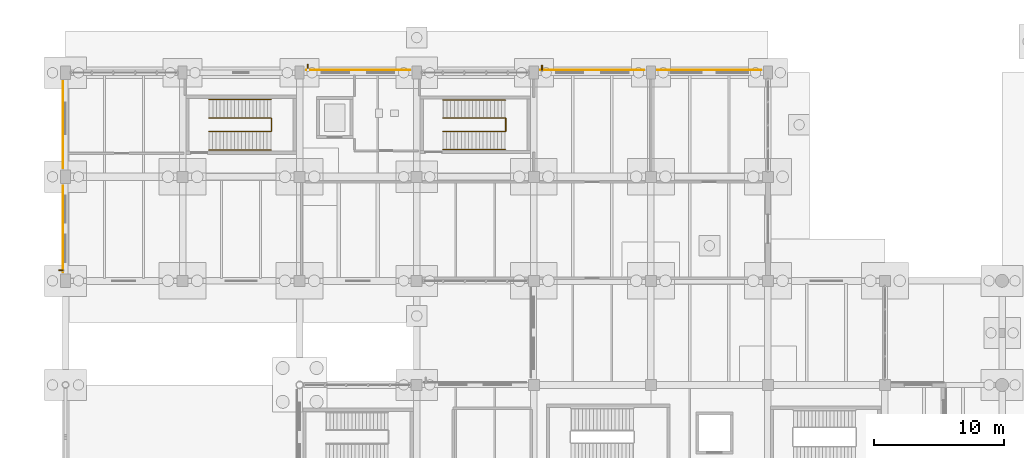
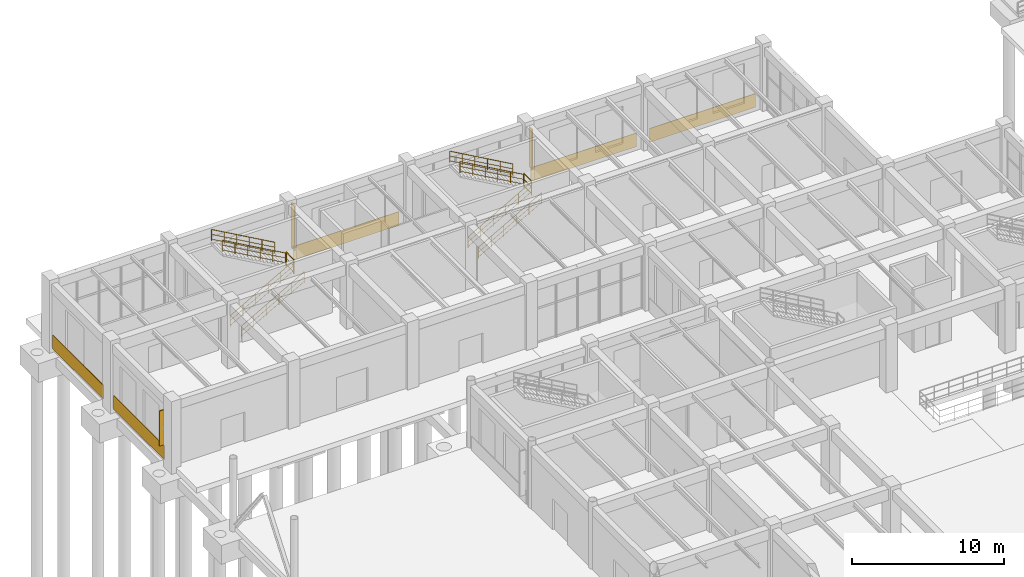
# One storey, part 114 of 121: 10 railings, 5 coverings, 3 shading devices.
"""IFC4 building model written with IfcOpenShell, lengths in metres."""

from ifc_helpers import new_model, si_unit, derived_unit, direction, frame, origin, origin_2d, place, context, subcontext, project, spatial, rectangle, circle, extrude, material, layer, layer_set, type_object, element, save


model = new_model("IFC4")

# Units and contexts
model_context = context("Model", 3, precision=1e-05, world=origin(), true_north=direction((0.0, 1.0)))
body_context = subcontext(model_context, "Body", "Model", "MODEL_VIEW")
ifc_project = project(units=[si_unit("LENGTHUNIT", "METRE"), si_unit("AREAUNIT", "SQUARE_METRE"), si_unit("VOLUMEUNIT", "CUBIC_METRE"), si_unit("PLANEANGLEUNIT", "RADIAN"), si_unit("MASSUNIT", "GRAM", prefix="KILO"), derived_unit("THERMALTRANSMITTANCEUNIT", [(si_unit("MASSUNIT", "GRAM", prefix="KILO"), 1), (si_unit("TIMEUNIT", "SECOND"), -3), (si_unit("THERMODYNAMICTEMPERATUREUNIT", "KELVIN"), -1)])], contexts=[model_context])

# Site, building, storey
site_placement = place(None, origin())
site = spatial("IfcSite", under=ifc_project, at=site_placement, CompositionType="ELEMENT")
building_placement = place(site_placement, origin())
building = spatial("IfcBuilding", under=site, at=building_placement, Name="Zhenchuan Archway Interchange", CompositionType="ELEMENT")
storey_placement = place(building_placement, origin())
storey = spatial("IfcBuildingStorey", under=building, at=storey_placement, Name="L00", CompositionType="ELEMENT", Elevation=0.0)

# Coverings
ifc_material_1 = material(Name="Granite Stone Cladding", Category="masonry")
ifc_layer = layer(ifc_material_1, 0.0400390625)
ifc_layer_set = layer_set([ifc_layer], Name="Granite Stone Cladding")
covering_type = type_object("IfcCoveringType", Name="COV_CLAD_GRANITE", PredefinedType="CLADDING", material=ifc_layer_set)
for number, where, z_axis, x_axis, name in (
    (1, (-0.197998046875, 100.0, 0.0), (0.0, 0.0, 1.0), (0.0, 1.0, 0.0), "Pearl-grey granite plinth band 019"),
    (2, (-0.197998046875, 108.0, 0.0), (0.0, 0.0, 1.0), (0.0, 1.0, 0.0), "Pearl-grey granite plinth band 020"),
):
    element("IfcCovering", number, at=place(storey_placement, frame(where, z_axis=z_axis, x_axis=x_axis)), inside=storey, type_object=covering_type, Name=name, PredefinedType="CLADDING", context=body_context, shape_type="SweptSolid", body=[
        extrude(rectangle(XDim=6.654052734375, YDim=0.0400390625, at=origin_2d()), origin(), (0.0, 0.0, 1.0), 1.10009765625),
    ])
for number, where, z_axis, x_axis, name in (
    (3, (22.5, 112.197998046875, 0.0), (0.0, 0.0, 1.0), (1.0, 0.0, 0.0), "Pearl-grey granite plinth band 023"),
    (4, (40.5, 112.197998046875, 0.0), (0.0, 0.0, 1.0), (1.0, 0.0, 0.0), "Pearl-grey granite plinth band 025"),
    (5, (49.5, 112.197998046875, 0.0), (0.0, 0.0, 1.0), (1.0, 0.0, 0.0), "Pearl-grey granite plinth band 026"),
):
    element("IfcCovering", number, at=place(storey_placement, frame(where, z_axis=z_axis, x_axis=x_axis)), inside=storey, type_object=covering_type, Name=name, PredefinedType="CLADDING", context=body_context, shape_type="SweptSolid", body=[
        extrude(rectangle(XDim=8.00390625, YDim=0.0400390625, at=origin_2d()), origin(), (0.0, 0.0, 1.0), 1.10009765625),
    ])

# Railings
ifc_material_2 = material(Name="Painted Galvanised Steel", Category="steel")
railing_type_1 = type_object("IfcRailingType", Name="RL_GUARD_1150", PredefinedType="GUARDRAIL", material=ifc_material_2)
for number, where, name in (
    (6, (15.844970703125, 107.514892578125, 2.699951171875), "Stair ST-W1 half-landing slot guard (L00)"),
    (7, (33.844970703125, 107.514892578125, 2.699951171875), "Stair ST-W2 half-landing slot guard (L00)"),
):
    element("IfcRailing", number, at=place(storey_placement, frame(where)), inside=storey, type_object=railing_type_1, Name=name, PredefinedType="GUARDRAIL", context=body_context, shape_type="SweptSolid", body=[
        extrude(circle(Radius=0.02392578125, at=origin_2d()), frame((0.0, 0.0, 1.1259765625), z_axis=(0.0, 1.0, 0.0), x_axis=(-1.0, 0.0, 0.0)), (0.0, 0.0, 1.0), 0.97021484375),
        extrude(circle(Radius=0.01611328125, at=origin_2d()), frame((0.0, 0.0, 0.63232421875), z_axis=(0.0, 1.0, 0.0), x_axis=(-1.0, 0.0, 0.0)), (0.0, 0.0, 1.0), 0.97021484375),
        extrude(circle(Radius=0.01611328125, at=origin_2d()), frame((0.0, 0.0, 0.1201171875), z_axis=(0.0, 1.0, 0.0), x_axis=(-1.0, 0.0, 0.0)), (0.0, 0.0, 1.0), 0.97021484375),
        extrude(circle(Radius=0.02099609375, at=origin_2d()), origin(), (0.0, 0.0, 1.0), 1.1259765625),
        extrude(circle(Radius=0.02099609375, at=origin_2d()), frame((0.0, 0.97021484375, 0.0)), (0.0, 0.0, 1.0), 1.1259765625),
    ])
ifc_material_3 = material(Name="Stainless Steel 304", Category="steel")
railing_type_2 = type_object("IfcRailingType", Name="RL_HAND_920", PredefinedType="HANDRAIL", material=ifc_material_3)
for number, where, name in (
    (8, (11.02490234375, 106.054931640625, 0.14990234375), "Stair ST-W1 handrail 1 (L00)"),
    (9, (11.02490234375, 107.47509765625, 0.14990234375), "Stair ST-W1 handrail 2 (L00)"),
):
    element("IfcRailing", number, at=place(storey_placement, frame(where)), inside=storey, type_object=railing_type_2, Name=name, PredefinedType="HANDRAIL", context=body_context, shape_type="SweptSolid", body=[
        extrude(circle(Radius=0.02392578125, at=origin_2d()), frame((0.0, 0.0, 0.89599609375), z_axis=(0.87068456393, 0.0, 0.491841834469), x_axis=(0.0, 1.0, 0.0)), (0.0, 0.0, 1.0), 5.489990234375),
        extrude(circle(Radius=0.01611328125, at=origin_2d()), frame((0.0, 0.0, 0.505859375), z_axis=(0.87068456393, 0.0, 0.491841834469), x_axis=(0.0, 1.0, 0.0)), (0.0, 0.0, 1.0), 5.489990234375),
        extrude(circle(Radius=0.01611328125, at=origin_2d()), frame((0.0, 0.0, 0.1201171875), z_axis=(0.87068456393, 0.0, 0.491841834469), x_axis=(0.0, 1.0, 0.0)), (0.0, 0.0, 1.0), 5.489990234375),
        extrude(circle(Radius=0.02099609375, at=origin_2d()), origin(), (0.0, 0.0, 1.0), 0.89599609375),
        extrude(circle(Radius=0.02099609375, at=origin_2d()), frame((0.9560546875, 0.0, 0.5400390625)), (0.0, 0.0, 1.0), 0.89599609375),
        extrude(circle(Radius=0.02099609375, at=origin_2d()), frame((1.912109375, 0.0, 1.080078125)), (0.0, 0.0, 1.0), 0.89599609375),
        extrude(circle(Radius=0.02099609375, at=origin_2d()), frame((2.867919921875, 0.0, 1.6201171875)), (0.0, 0.0, 1.0), 0.89599609375),
        extrude(circle(Radius=0.02099609375, at=origin_2d()), frame((3.823974609375, 0.0, 2.16015625)), (0.0, 0.0, 1.0), 0.89599609375),
        extrude(circle(Radius=0.02099609375, at=origin_2d()), frame((4.780029296875, 0.0, 2.7001953125)), (0.0, 0.0, 1.0), 0.89599609375),
    ])
for number, where, name in (
    (10, (15.804931640625, 108.52490234375, 2.85009765625), "Stair ST-W1 handrail 3 (L00)"),
    (11, (15.804931640625, 109.945068359375, 2.85009765625), "Stair ST-W1 handrail 4 (L00)"),
):
    element("IfcRailing", number, at=place(storey_placement, frame(where)), inside=storey, type_object=railing_type_2, Name=name, PredefinedType="HANDRAIL", context=body_context, shape_type="SweptSolid", body=[
        extrude(circle(Radius=0.02392578125, at=origin_2d()), frame((0.0, 0.0, 0.89599609375), z_axis=(-0.870703607627, 0.0, 0.49180812078), x_axis=(0.0, -1.0, 0.0)), (0.0, 0.0, 1.0), 5.48974609375),
        extrude(circle(Radius=0.01611328125, at=origin_2d()), frame((0.0, 0.0, 0.505859375), z_axis=(-0.870703607627, 0.0, 0.49180812078), x_axis=(0.0, -1.0, 0.0)), (0.0, 0.0, 1.0), 5.48974609375),
        extrude(circle(Radius=0.01611328125, at=origin_2d()), frame((0.0, 0.0, 0.1201171875), z_axis=(-0.870703607627, 0.0, 0.49180812078), x_axis=(0.0, -1.0, 0.0)), (0.0, 0.0, 1.0), 5.48974609375),
        extrude(circle(Radius=0.02099609375, at=origin_2d()), origin(), (0.0, 0.0, 1.0), 0.89599609375),
        extrude(circle(Radius=0.02099609375, at=origin_2d()), frame((-0.9560546875, 0.0, 0.5400390625)), (0.0, 0.0, 1.0), 0.89599609375),
        extrude(circle(Radius=0.02099609375, at=origin_2d()), frame((-1.912109375, 0.0, 1.080078125)), (0.0, 0.0, 1.0), 0.89599609375),
        extrude(circle(Radius=0.02099609375, at=origin_2d()), frame((-2.867919921875, 0.0, 1.619873046875)), (0.0, 0.0, 1.0), 0.89599609375),
        extrude(circle(Radius=0.02099609375, at=origin_2d()), frame((-3.823974609375, 0.0, 2.159912109375)), (0.0, 0.0, 1.0), 0.89599609375),
        extrude(circle(Radius=0.02099609375, at=origin_2d()), frame((-4.780029296875, 0.0, 2.699951171875)), (0.0, 0.0, 1.0), 0.89599609375),
    ])
for number, where, name in (
    (12, (29.02490234375, 106.10498046875, 0.14990234375), "Stair ST-W2 handrail 1 (L00)"),
    (13, (29.02490234375, 107.47509765625, 0.14990234375), "Stair ST-W2 handrail 2 (L00)"),
):
    element("IfcRailing", number, at=place(storey_placement, frame(where)), inside=storey, type_object=railing_type_2, Name=name, PredefinedType="HANDRAIL", context=body_context, shape_type="SweptSolid", body=[
        extrude(circle(Radius=0.02392578125, at=origin_2d()), frame((0.0, 0.0, 0.89599609375), z_axis=(0.87068456393, 0.0, 0.491841834469), x_axis=(0.0, 1.0, 0.0)), (0.0, 0.0, 1.0), 5.489990234375),
        extrude(circle(Radius=0.01611328125, at=origin_2d()), frame((0.0, 0.0, 0.505859375), z_axis=(0.87068456393, 0.0, 0.491841834469), x_axis=(0.0, 1.0, 0.0)), (0.0, 0.0, 1.0), 5.489990234375),
        extrude(circle(Radius=0.01611328125, at=origin_2d()), frame((0.0, 0.0, 0.1201171875), z_axis=(0.87068456393, 0.0, 0.491841834469), x_axis=(0.0, 1.0, 0.0)), (0.0, 0.0, 1.0), 5.489990234375),
        extrude(circle(Radius=0.02099609375, at=origin_2d()), origin(), (0.0, 0.0, 1.0), 0.89599609375),
        extrude(circle(Radius=0.02099609375, at=origin_2d()), frame((0.9560546875, 0.0, 0.5400390625)), (0.0, 0.0, 1.0), 0.89599609375),
        extrude(circle(Radius=0.02099609375, at=origin_2d()), frame((1.912109375, 0.0, 1.080078125)), (0.0, 0.0, 1.0), 0.89599609375),
        extrude(circle(Radius=0.02099609375, at=origin_2d()), frame((2.867919921875, 0.0, 1.6201171875)), (0.0, 0.0, 1.0), 0.89599609375),
        extrude(circle(Radius=0.02099609375, at=origin_2d()), frame((3.823974609375, 0.0, 2.16015625)), (0.0, 0.0, 1.0), 0.89599609375),
        extrude(circle(Radius=0.02099609375, at=origin_2d()), frame((4.780029296875, 0.0, 2.7001953125)), (0.0, 0.0, 1.0), 0.89599609375),
    ])
for number, where, name in (
    (14, (33.804931640625, 108.52490234375, 2.85009765625), "Stair ST-W2 handrail 3 (L00)"),
    (15, (33.804931640625, 109.89501953125, 2.85009765625), "Stair ST-W2 handrail 4 (L00)"),
):
    element("IfcRailing", number, at=place(storey_placement, frame(where)), inside=storey, type_object=railing_type_2, Name=name, PredefinedType="HANDRAIL", context=body_context, shape_type="SweptSolid", body=[
        extrude(circle(Radius=0.02392578125, at=origin_2d()), frame((0.0, 0.0, 0.89599609375), z_axis=(-0.870703607627, 0.0, 0.49180812078), x_axis=(0.0, -1.0, 0.0)), (0.0, 0.0, 1.0), 5.48974609375),
        extrude(circle(Radius=0.01611328125, at=origin_2d()), frame((0.0, 0.0, 0.505859375), z_axis=(-0.870703607627, 0.0, 0.49180812078), x_axis=(0.0, -1.0, 0.0)), (0.0, 0.0, 1.0), 5.48974609375),
        extrude(circle(Radius=0.01611328125, at=origin_2d()), frame((0.0, 0.0, 0.1201171875), z_axis=(-0.870703607627, 0.0, 0.49180812078), x_axis=(0.0, -1.0, 0.0)), (0.0, 0.0, 1.0), 5.48974609375),
        extrude(circle(Radius=0.02099609375, at=origin_2d()), origin(), (0.0, 0.0, 1.0), 0.89599609375),
        extrude(circle(Radius=0.02099609375, at=origin_2d()), frame((-0.9560546875, 0.0, 0.5400390625)), (0.0, 0.0, 1.0), 0.89599609375),
        extrude(circle(Radius=0.02099609375, at=origin_2d()), frame((-1.912109375, 0.0, 1.080078125)), (0.0, 0.0, 1.0), 0.89599609375),
        extrude(circle(Radius=0.02099609375, at=origin_2d()), frame((-2.867919921875, 0.0, 1.619873046875)), (0.0, 0.0, 1.0), 0.89599609375),
        extrude(circle(Radius=0.02099609375, at=origin_2d()), frame((-3.823974609375, 0.0, 2.159912109375)), (0.0, 0.0, 1.0), 0.89599609375),
        extrude(circle(Radius=0.02099609375, at=origin_2d()), frame((-4.780029296875, 0.0, 2.699951171875)), (0.0, 0.0, 1.0), 0.89599609375),
    ])

# Shading devices
ifc_material_4 = material(Name="Terracotta Ceramic", Category="masonry")
shading_device_type_1 = type_object("IfcShadingDeviceType", Name="SHD_FIN_1", PredefinedType="USERDEFINED", material=ifc_material_4)
shading_device_1_placement = place(storey_placement, frame((36.6279296875, 112.384033203125, 0.93017578125), z_axis=(0.0, 0.0, 1.0), x_axis=(1.0, 0.0, 0.0)))
element("IfcShadingDevice", 16, at=shading_device_1_placement, inside=storey, type_object=shading_device_type_1, Name="Terracotta vertical solar fin L00-006", ObjectType="FINS", PredefinedType="USERDEFINED", context=body_context, shape_type="SweptSolid", body=[
    extrude(rectangle(XDim=0.090087890625, YDim=0.419921875, at=origin_2d()), origin(), (0.0, 0.0, 1.0), 3.199951171875),
])
shading_device_type_2 = type_object("IfcShadingDeviceType", Name="SHD_FIN_2", PredefinedType="USERDEFINED", material=ifc_material_4)
shading_device_2_placement = place(storey_placement, frame((-0.35400390625, 96.802978515625, 1.1298828125), z_axis=(0.0, 0.0, 1.0), x_axis=(0.0, 1.0, 0.0)))
element("IfcShadingDevice", 17, at=shading_device_2_placement, inside=storey, type_object=shading_device_type_2, Name="Terracotta vertical solar fin L00-004", ObjectType="FINS", PredefinedType="USERDEFINED", context=body_context, shape_type="SweptSolid", body=[
    extrude(rectangle(XDim=0.080078125, YDim=0.360107421875, at=origin_2d()), origin(), (0.0, 0.0, 1.0), 2.800048828125),
])
shading_device_type_3 = type_object("IfcShadingDeviceType", Name="SHD_FIN_3", PredefinedType="USERDEFINED", material=ifc_material_4)
shading_device_3_placement = place(storey_placement, frame((18.6279296875, 112.404052734375, 0.72998046875), z_axis=(0.0, 0.0, 1.0), x_axis=(1.0, 0.0, 0.0)))
element("IfcShadingDevice", 18, at=shading_device_3_placement, inside=storey, type_object=shading_device_type_3, Name="Terracotta vertical solar fin L00-005", ObjectType="FINS", PredefinedType="USERDEFINED", context=body_context, shape_type="SweptSolid", body=[
    extrude(rectangle(XDim=0.10009765625, YDim=0.4599609375, at=origin_2d()), origin(), (0.0, 0.0, 1.0), 3.60009765625),
])

save(model, "model.ifc")
